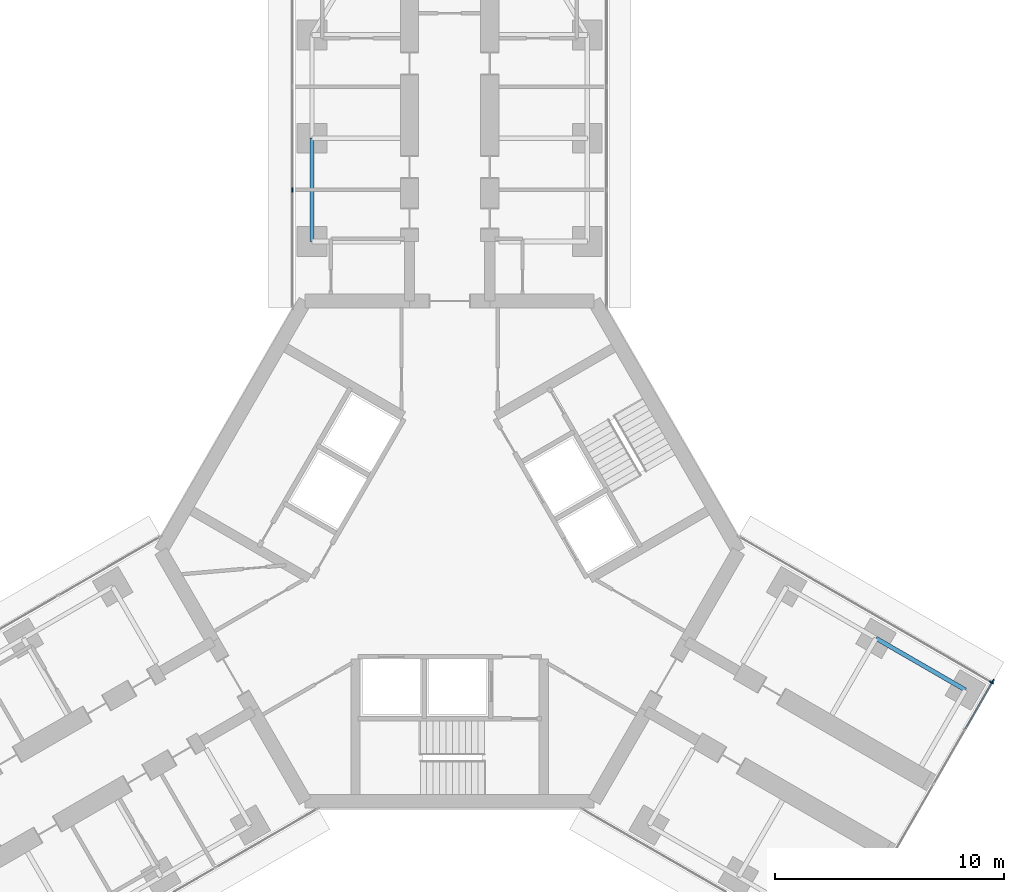
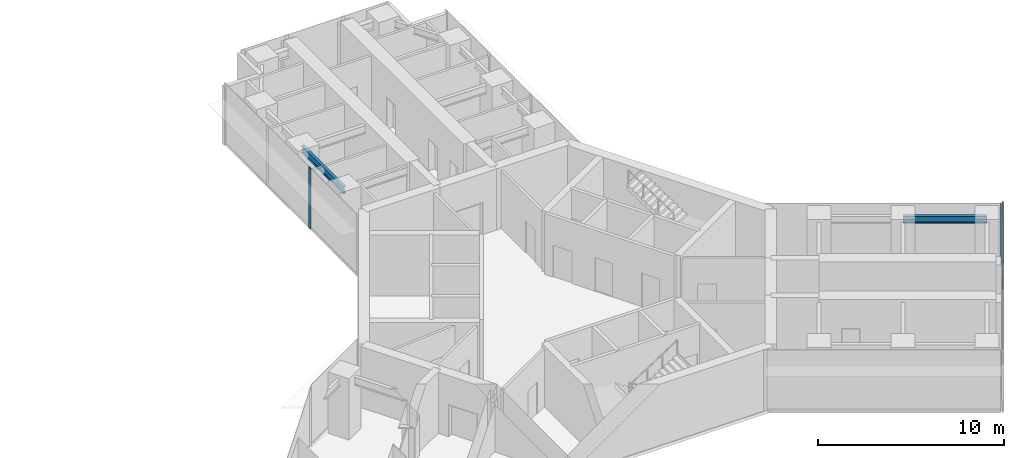
# One storey, part 11 of 22: 4 members, 2 beams, 3 elements without a shape of their own.
"""IFC4 building model written with IfcOpenShell, lengths in metres."""

from ifc_helpers import new_model, si_unit, direction, frame, origin, origin_2d, place, context, subcontext, project, spatial, rectangle, i_section, extrude, material, material_profile, profile_set, type_object, element, aggregate, save


model = new_model("IFC4")

# Units and contexts
model_context = context("Model", 3, precision=1e-05, world=origin(), true_north=direction((0.0, 1.0)))
body_context = subcontext(model_context, "Body", "Model", "MODEL_VIEW")
ifc_project = project(units=[si_unit("LENGTHUNIT", "METRE"), si_unit("AREAUNIT", "SQUARE_METRE"), si_unit("VOLUMEUNIT", "CUBIC_METRE"), si_unit("PLANEANGLEUNIT", "RADIAN"), si_unit("MASSUNIT", "GRAM", prefix="KILO")], contexts=[model_context])

# Site, building, storey
site_placement = place(None, origin())
site = spatial("IfcSite", under=ifc_project, at=site_placement, CompositionType="ELEMENT")
building_placement = place(site_placement, origin())
building = spatial("IfcBuilding", under=site, at=building_placement, Name="Upepo Twin Towers", CompositionType="ELEMENT")
storey_placement = place(building_placement, frame((0.0, 0.0, 141.5)))
storey = spatial("IfcBuildingStorey", under=building, at=storey_placement, Name="L34", CompositionType="ELEMENT", Elevation=141.5)

# Beams
ifc_material_1 = material(Name="Steel S355", Category="steel")
ifc_material_profile_1 = material_profile(ifc_material_1, i_section(OverallWidth=0.1904296875, OverallDepth=0.45703125, WebThickness=0.009033203125, FlangeThickness=0.014404296875, FilletRadius=0.01025390625, at=origin_2d()), Name="UB 457x191x74")
ifc_profile_set_1 = profile_set([ifc_material_profile_1], Name="Steel S355")
beam_type = type_object("IfcBeamType", Name="Beam UB 457x191x74", PredefinedType="BEAM", material=ifc_profile_set_1)
for number, where, z_axis, x_axis, name in (
    (1, (52.5, -4.5, 3.571533203125), (0.0, 1.0, 0.0), (-1.0, 0.0, 0.0), "T2 edge beam AL 13.5-18.0"),
    (2, (77.08837890625, -21.803955078125, 3.571533203125), (0.866031096941, -0.499990139034, 0.0), (0.499990139034, 0.866031096941, 0.0), "T2 edge beam CL 18.0-22.5"),
):
    element("IfcBeam", number, at=place(storey_placement, frame(where, z_axis=z_axis, x_axis=x_axis)), inside=storey, type_object=beam_type, Name=name, PredefinedType="BEAM", context=body_context, shape_type="SweptSolid", body=[
        extrude(i_section(OverallWidth=0.1904296875, OverallDepth=0.45703125, WebThickness=0.009033203125, FlangeThickness=0.014404296875, FilletRadius=0.01025390625, at=origin_2d()), origin(), (0.0, 0.0, 1.0), 4.5),
    ])

# Curtain wall, member
ifc_material_2 = material(Name="Aluminium and fritted glass", Category="aluminium")
curtain_wall_type = type_object("IfcCurtainWallType", Name="Tower curtain wall TW2, fritted glass", PredefinedType="NOTDEFINED", material=ifc_material_2)
curtain_wall_1_placement = place(storey_placement, origin())
curtain_wall_1 = element("IfcCurtainWall", 3, at=curtain_wall_1_placement, inside=storey, type_object=curtain_wall_type, Name="T2 L34 wing A flank L curtain wall", PredefinedType="NOTDEFINED")
ifc_material_3 = material(Name="Aluminium mullion", Category="aluminium")
ifc_material_profile_2 = material_profile(ifc_material_3, rectangle(XDim=0.06494140625, YDim=0.199951171875, at=origin_2d()), Name="MULLION 65x200")
ifc_profile_set_2 = profile_set([ifc_material_profile_2], Name="Aluminium mullion")
member_type_1 = type_object("IfcMemberType", Name="Mullion 65x200 TW2", PredefinedType="MULLION", material=ifc_profile_set_2)
member_1_placement = place(storey_placement, frame((51.64990234375, -2.25, 0.0), z_axis=(0.0, 0.0, 1.0), x_axis=(-1.0, 0.0, 0.0)))
member_1 = element("IfcMember", 4, at=member_1_placement, type_object=member_type_1, Name="T2 L34 wing A flank L curtain wall mullion 2", PredefinedType="MULLION", context=body_context, shape_type="SweptSolid", body=[
    extrude(rectangle(XDim=0.06494140625, YDim=0.199951171875, at=origin_2d()), origin(), (0.0, 0.0, 1.0), 4.0),
])
aggregate(curtain_wall_1, [member_1])

curtain_wall_2_placement = place(storey_placement, origin())
curtain_wall_2 = element("IfcCurtainWall", 5, at=curtain_wall_2_placement, inside=storey, type_object=curtain_wall_type, Name="T2 L34 wing C flank L curtain wall", PredefinedType="NOTDEFINED")
member_2_placement = place(storey_placement, frame((82.11865234375, -23.7265625, 0.0), z_axis=(0.0, 0.0, 1.0), x_axis=(0.50000000792, 0.866025399212, 0.0)))
member_2 = element("IfcMember", 6, at=member_2_placement, type_object=member_type_1, Name="T2 L34 wing C flank L curtain wall mullion 2", PredefinedType="MULLION", context=body_context, shape_type="SweptSolid", body=[
    extrude(rectangle(XDim=0.06494140625, YDim=0.199951171875, at=origin_2d()), origin(), (0.0, 0.0, 1.0), 4.0),
])
aggregate(curtain_wall_2, [member_2])

# Curtain wall, members
curtain_wall_3_placement = place(storey_placement, origin())
curtain_wall_3 = element("IfcCurtainWall", 7, at=curtain_wall_3_placement, inside=storey, type_object=curtain_wall_type, Name="T2 L34 wing C nose curtain wall", PredefinedType="NOTDEFINED")
member_3_placement = place(storey_placement, frame((82.180419921875, -23.684326171875, 0.0), z_axis=(0.0, 0.0, 1.0), x_axis=(-0.866025419745, 0.499999972355, 0.0)))
member_3 = element("IfcMember", 8, at=member_3_placement, type_object=member_type_1, Name="T2 L34 wing C nose curtain wall mullion 6", PredefinedType="MULLION", context=body_context, shape_type="SweptSolid", body=[
    extrude(rectangle(XDim=0.06494140625, YDim=0.199951171875, at=origin_2d()), origin(), (0.0, 0.0, 1.0), 4.0),
])
ifc_material_4 = material(Name="Aluminium transom", Category="aluminium")
ifc_material_profile_3 = material_profile(ifc_material_4, rectangle(XDim=0.06494140625, YDim=0.14990234375, at=origin_2d()), Name="TRANSOM 65x150")
ifc_profile_set_3 = profile_set([ifc_material_profile_3], Name="Aluminium transom")
member_type_2 = type_object("IfcMemberType", Name="Transom 65x150 TW2", PredefinedType="USERDEFINED", material=ifc_profile_set_3)
member_4_placement = place(storey_placement, frame((80.988037109375, -25.749755859375, 0.074951171875), z_axis=(0.50000093428, 0.866024864377, 0.0), x_axis=(-0.866024864377, 0.50000093428, 0.0)))
member_4 = element("IfcMember", 9, at=member_4_placement, type_object=member_type_2, Name="T2 L34 wing C nose curtain wall transom 5", ObjectType="TRANSOM", PredefinedType="USERDEFINED", context=body_context, shape_type="SweptSolid", body=[
    extrude(rectangle(XDim=0.06494140625, YDim=0.14990234375, at=origin_2d()), origin(), (0.0, 0.0, 1.0), 2.3525390625),
])
aggregate(curtain_wall_3, [member_3, member_4])

save(model, "model.ifc")
